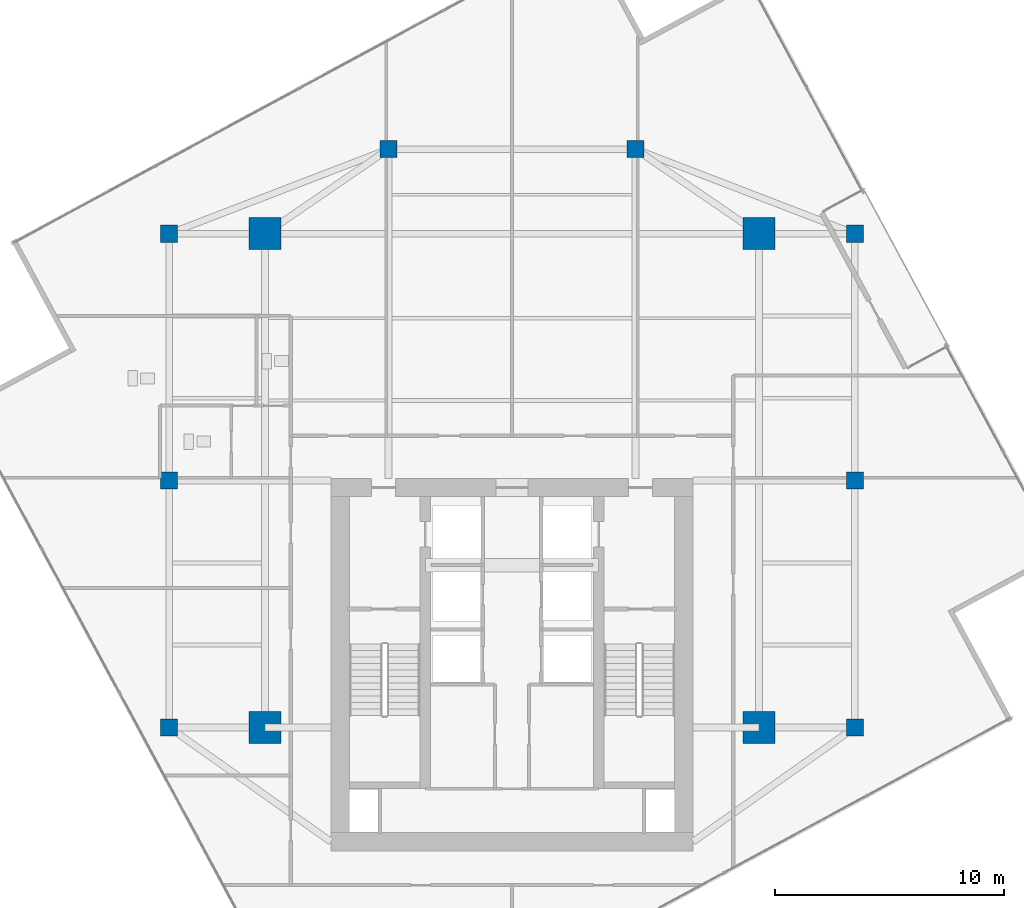
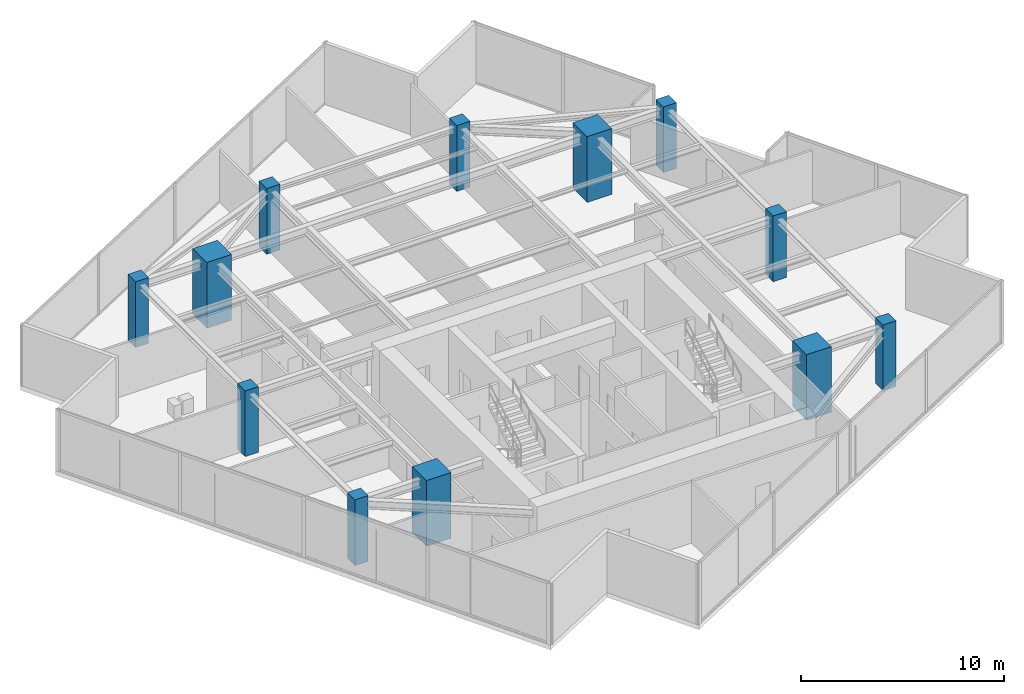
# One storey, part 1 of 22: 12 columns.
"""IFC4 building model written with IfcOpenShell, lengths in metres."""

from ifc_helpers import new_model, si_unit, direction, frame, origin, origin_2d, place, context, subcontext, project, spatial, rectangle, extrude, source, transform, mapped, material, material_profile, profile_set, type_object, type_shapes, element, save


model = new_model("IFC4")

# Units and contexts
model_context = context("Model", 3, precision=1e-05, world=origin(), true_north=direction((0.0, 1.0)))
body_context = subcontext(model_context, "Body", "Model", "MODEL_VIEW")
ifc_project = project(units=[si_unit("LENGTHUNIT", "METRE"), si_unit("AREAUNIT", "SQUARE_METRE"), si_unit("VOLUMEUNIT", "CUBIC_METRE"), si_unit("PLANEANGLEUNIT", "RADIAN"), si_unit("MASSUNIT", "GRAM", prefix="KILO")], contexts=[model_context])

# Site, building, storey
site_placement = place(None, origin())
site = spatial("IfcSite", under=ifc_project, at=site_placement, CompositionType="ELEMENT")
building_placement = place(site_placement, origin())
building = spatial("IfcBuilding", under=site, at=building_placement, Name="Krantzveldt Concourse Tower", CompositionType="ELEMENT")
storey_placement = place(building_placement, frame((0.0, 0.0, 306.89990234375)))
storey = spatial("IfcBuildingStorey", under=building, at=storey_placement, Name="L75", CompositionType="ELEMENT", Elevation=306.89990234375)

# Columns
ifc_material = material(Name="Concrete C50/60", Category="concrete")
ifc_material_profile_1 = material_profile(ifc_material, rectangle(XDim=1.39990234375, YDim=1.39990234375, at=origin_2d()), Name="Concrete C50/60", Category="concrete")
ifc_profile_set_1 = profile_set([ifc_material_profile_1], Name="Concrete C50/60 - RC 1400x1400")
column_type_1 = type_object("IfcColumnType", Name="COL-MC-1400", PredefinedType="USERDEFINED", material=ifc_profile_set_1)
shared_shape_1 = source(origin(), body_context, "Body", "SweptSolid", [
    extrude(rectangle(XDim=1.39990234375, YDim=1.39990234375, at=origin_2d()), origin(), (0.0, 0.0, 1.0), 3.9501953125),
])
type_shapes(column_type_1, [shared_shape_1])
for number, where, z_axis, x_axis, name in (
    (1, (25.199951171875, 15.89990234375, 0.0), (0.0, 0.0, 1.0), (1.0, 0.0, 0.0), "MC-SW-L75"),
    (2, (46.800048828125, 15.89990234375, 0.0), (0.0, 0.0, 1.0), (1.0, 0.0, 0.0), "MC-SE-L75"),
    (3, (46.800048828125, 37.5, 0.0), (0.0, 0.0, 1.0), (1.0, 0.0, 0.0), "MC-NE-L75"),
    (4, (25.199951171875, 37.5, 0.0), (0.0, 0.0, 1.0), (1.0, 0.0, 0.0), "MC-NW-L75"),
):
    element("IfcColumn", number, at=place(storey_placement, frame(where, z_axis=z_axis, x_axis=x_axis)), inside=storey, type_object=column_type_1, Name=name, ObjectType="MEGA COLUMN", PredefinedType="USERDEFINED", context=body_context, shape_type="MappedRepresentation", body=[
        mapped(shared_shape_1, transform((0.0, 0.0, 0.0), x_axis=(1.0, 0.0, 0.0), y_axis=(0.0, 1.0, 0.0), z_axis=(0.0, 0.0, 1.0), scale=1.0)),
    ])
ifc_material_profile_2 = material_profile(ifc_material, rectangle(XDim=0.75, YDim=0.75, at=origin_2d()), Name="Concrete C50/60", Category="concrete")
ifc_profile_set_2 = profile_set([ifc_material_profile_2], Name="Concrete C50/60 - RC 750x750")
column_type_2 = type_object("IfcColumnType", Name="COL-C-Z5", PredefinedType="COLUMN", material=ifc_profile_set_2)
shared_shape_2 = source(origin(), body_context, "Body", "SweptSolid", [
    extrude(rectangle(XDim=0.75, YDim=0.75, at=origin_2d()), origin(), (0.0, 0.0, 1.0), 3.9501953125),
])
type_shapes(column_type_2, [shared_shape_2])
for number, where, z_axis, x_axis, name in (
    (5, (21.0, 15.89990234375, 0.0), (0.0, 0.0, 1.0), (1.0, 0.0, 0.0), "PC-R01-L75"),
    (6, (21.0, 26.699951171875, 0.0), (0.0, 0.0, 1.0), (1.0, 0.0, 0.0), "PC-R02-L75"),
    (7, (21.0, 37.5, 0.0), (0.0, 0.0, 1.0), (1.0, 0.0, 0.0), "PC-R03-L75"),
    (8, (30.60009765625, 41.199951171875, 0.0), (0.0, 0.0, 1.0), (1.0, 0.0, 0.0), "PC-R04-L75"),
    (9, (41.39990234375, 41.199951171875, 0.0), (0.0, 0.0, 1.0), (1.0, 0.0, 0.0), "PC-R05-L75"),
    (10, (51.0, 37.5, 0.0), (0.0, 0.0, 1.0), (1.0, 0.0, 0.0), "PC-R06-L75"),
    (11, (51.0, 26.699951171875, 0.0), (0.0, 0.0, 1.0), (1.0, 0.0, 0.0), "PC-R07-L75"),
    (12, (51.0, 15.89990234375, 0.0), (0.0, 0.0, 1.0), (1.0, 0.0, 0.0), "PC-R08-L75"),
):
    element("IfcColumn", number, at=place(storey_placement, frame(where, z_axis=z_axis, x_axis=x_axis)), inside=storey, type_object=column_type_2, Name=name, PredefinedType="COLUMN", context=body_context, shape_type="MappedRepresentation", body=[
        mapped(shared_shape_2, transform((0.0, 0.0, 0.0), x_axis=(1.0, 0.0, 0.0), y_axis=(0.0, 1.0, 0.0), z_axis=(0.0, 0.0, 1.0), scale=1.0)),
    ])

save(model, "model.ifc")
